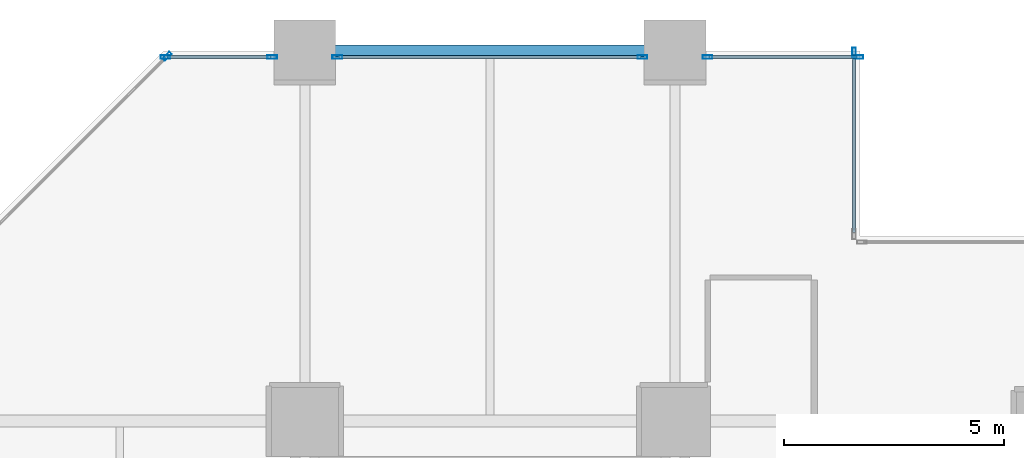
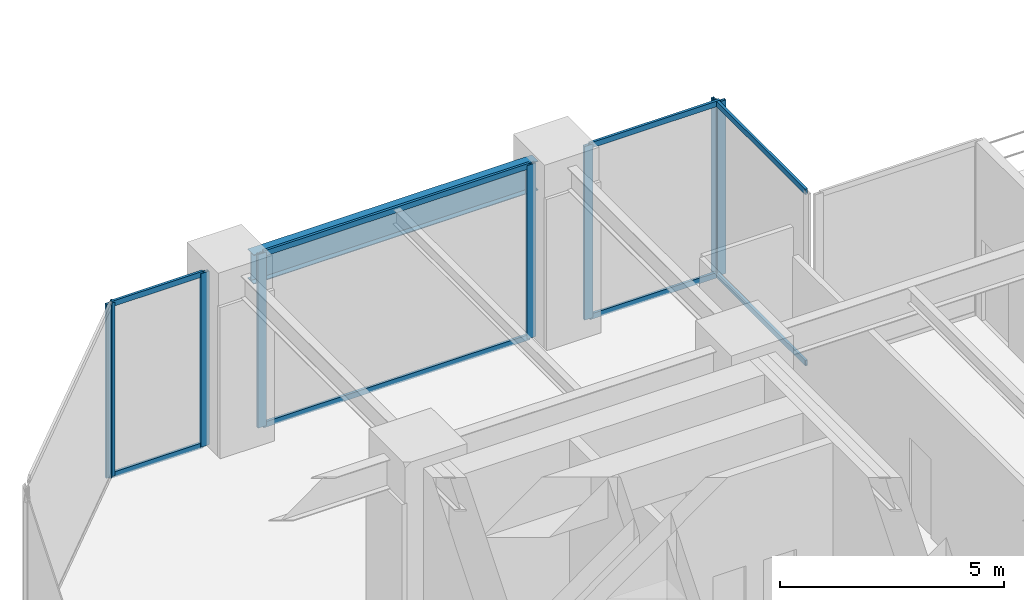
# One storey, part 11 of 21: 16 members, 1 beam, 5 elements without a shape of their own.
"""IFC4 building model written with IfcOpenShell, lengths in metres."""

import ifcopenshell
import ifcopenshell.guid

model = None  # the IFC model being written
_history = None  # IfcOwnerHistory: only IFC2X3 demands one
_inside = {}  # id of a spatial element -> (the spatial element, [elements in it])
_under = {}  # id of a project, library or spatial element -> (it, [spatial elements below it])
_declared = {}  # id of a project -> (the project, [libraries it declares])
_typed = {}  # id of a type object -> (the type object, [elements of that type])
_made_of = {}  # id of a material, layer set ... -> (it, [elements and type objects made of it])


def new_model(schema):
    """Start an empty IFC model of exactly this schema.

    Asked for "IFC4X3", IfcOpenShell would pick the latest addendum, in which some entities
    have other attributes; the version numbers below select the first issue.
    IFC2X3 requires an IfcOwnerHistory on every rooted entity: one is made here for all.
    """
    global model, _history
    if schema == "IFC4X3":
        model = ifcopenshell.file(schema_version=(4, 3, 0, 0))
    else:
        model = ifcopenshell.file(schema=schema)
    _inside.clear()
    _under.clear()
    _declared.clear()
    _typed.clear()
    _made_of.clear()
    _history = None
    if model.schema == "IFC2X3":
        org = make("IfcOrganization", Name="unknown")
        user = make(
            "IfcPersonAndOrganization",
            ThePerson=make("IfcPerson", FamilyName="unknown"),
            TheOrganization=org,
        )
        app = make(
            "IfcApplication",
            ApplicationDeveloper=org,
            Version="unknown",
            ApplicationFullName="unknown",
            ApplicationIdentifier="unknown",
        )
        _history = make(
            "IfcOwnerHistory",
            OwningUser=user,
            OwningApplication=app,
            ChangeAction="ADDED",
            CreationDate=0,
        )
    return model


def make(cls, **values):
    """One entity of the class cls with the attributes given. An attribute that is None is left unset."""
    return model.create_entity(
        cls, **{name: value for name, value in values.items() if value is not None}
    )


def rooted(cls, **values):
    """An entity with a GlobalId (a new one), such as an element, a storey or a relation."""
    return make(cls, GlobalId=ifcopenshell.guid.new(), OwnerHistory=_history, **values)


def si_unit(unit_type, name, prefix=None):
    """IfcSIUnit, for example si_unit("LENGTHUNIT", "METRE", prefix="MILLI")."""
    return make("IfcSIUnit", UnitType=unit_type, Prefix=prefix, Name=name)


def assignment(units):
    """IfcUnitAssignment: the units of a project."""
    return None if units is None else make("IfcUnitAssignment", Units=units)


def point(xyz):
    """IfcCartesianPoint."""
    return None if xyz is None else make("IfcCartesianPoint", Coordinates=xyz)


def direction(xyz):
    """IfcDirection."""
    return None if xyz is None else make("IfcDirection", DirectionRatios=xyz)


def frame(location, z_axis=None, x_axis=None):
    """IfcAxis2Placement3D, a coordinate frame: its origin and axes. An axis left out is left unset."""
    return make(
        "IfcAxis2Placement3D",
        Location=point(location),
        Axis=direction(z_axis),
        RefDirection=direction(x_axis),
    )


def frame_2d(location, x_axis=None):
    """IfcAxis2Placement2D, a coordinate frame in the plane: its origin and x axis."""
    return make(
        "IfcAxis2Placement2D", Location=point(location), RefDirection=direction(x_axis)
    )


def origin():
    """The frame at (0, 0, 0) with its axes left unset."""
    return frame((0.0, 0.0, 0.0))


def origin_2d():
    """The frame at (0, 0) in the plane with its x axis left unset."""
    return frame_2d((0.0, 0.0))


def place(relative_to, where):
    """IfcLocalPlacement: puts the frame where relative to a parent placement (None: the world)."""
    return make(
        "IfcLocalPlacement", PlacementRelTo=relative_to, RelativePlacement=where
    )


def context(
    kind, dimensions, precision=None, world=None, true_north=None, identifier=None
):
    """IfcGeometricRepresentationContext, for example the 3D "Model" context."""
    return make(
        "IfcGeometricRepresentationContext",
        ContextIdentifier=identifier,
        ContextType=kind,
        CoordinateSpaceDimension=dimensions,
        Precision=precision,
        WorldCoordinateSystem=world,
        TrueNorth=true_north,
    )


def subcontext(parent, identifier, kind, view, scale=None):
    """IfcGeometricRepresentationSubContext, for example "Body" below "Model"."""
    return make(
        "IfcGeometricRepresentationSubContext",
        ContextIdentifier=identifier,
        ContextType=kind,
        ParentContext=parent,
        TargetScale=scale,
        TargetView=view,
    )


def project(units=None, contexts=None):
    """IfcProject with its units and contexts."""
    return rooted(
        "IfcProject",
        Name="project",
        RepresentationContexts=contexts,
        UnitsInContext=assignment(units),
    )


def spatial(cls, under=None, at=None, **own):
    """A site, building, storey or space (cls), placed at a placement, below another one or the project."""
    s = rooted(cls, ObjectPlacement=at, **own)
    if under is not None:
        _under.setdefault(under.id(), (under, []))[1].append(s)
    return s


def profile(cls, at=None, kind="AREA", **sizes):
    """A parametric profile (cls). Its sizes go by their IFC names, for example OverallWidth=200.0."""
    return make(cls, ProfileType=kind, Position=at, **sizes)


def hollow_rectangle(**sizes):
    """IfcRectangleHollowProfileDef."""
    return profile("IfcRectangleHollowProfileDef", **sizes)


def i_section(**sizes):
    """IfcIShapeProfileDef."""
    return profile("IfcIShapeProfileDef", **sizes)


def extrude(swept, where, along, depth):
    """IfcExtrudedAreaSolid: the profile swept, set in the frame where, extruded along a direction by depth."""
    return make(
        "IfcExtrudedAreaSolid",
        SweptArea=swept,
        Position=where,
        ExtrudedDirection=direction(along),
        Depth=depth,
    )


def shape(context_of_items, identifier, shape_type, items):
    """IfcShapeRepresentation: the items that make up one representation, for example the "Body"."""
    return make(
        "IfcShapeRepresentation",
        ContextOfItems=context_of_items,
        RepresentationIdentifier=identifier,
        RepresentationType=shape_type,
        Items=items,
    )


def material(Name=None, Category=None):
    """IfcMaterial."""
    return make("IfcMaterial", Name=Name, Category=Category)


def layer(
    of_material, thickness, ventilated=None, Name=None, Category=None, Priority=None
):
    """IfcMaterialLayer: one layer of a wall or slab, of a material (None: an air gap)."""
    return make(
        "IfcMaterialLayer",
        Material=of_material,
        LayerThickness=thickness,
        IsVentilated=ventilated,
        Name=Name,
        Category=Category,
        Priority=Priority,
    )


def layer_set(layers, Name=None):
    """IfcMaterialLayerSet."""
    return make("IfcMaterialLayerSet", MaterialLayers=layers, LayerSetName=Name)


def material_profile(
    of_material, cross_section, Name=None, Category=None, Priority=None
):
    """IfcMaterialProfile: a cross section and its material."""
    return make(
        "IfcMaterialProfile",
        Name=Name,
        Material=of_material,
        Profile=cross_section,
        Priority=Priority,
        Category=Category,
    )


def profile_set(profiles, Name=None, composite=None):
    """IfcMaterialProfileSet."""
    return make(
        "IfcMaterialProfileSet",
        Name=Name,
        MaterialProfiles=profiles,
        CompositeProfile=composite,
    )


def made_of(thing, what):
    """Note that an element or type object is made of a material, layer set ...; save() writes the relation."""
    if what is not None:
        _made_of.setdefault(what.id(), (what, []))[1].append(thing)
    return thing


def type_object(cls, material=None, **own):
    """A type object (cls), such as IfcWallType, which elements share."""
    return made_of(rooted(cls, **own), material)


def element(
    cls,
    number,
    at=None,
    inside=None,
    cuts=None,
    type_object=None,
    material=None,
    context=None,
    identifier="Body",
    shape_type=None,
    held_by="IfcProductDefinitionShape",
    body=None,
    shapes=None,
    **own,
):
    """One element of the class cls, such as IfcWall. Its Tag is "e" and its number.

    at: its placement. inside: the storey or other place that contains it. cuts: it is an
    opening in that element (IfcRelVoidsElement). A single representation is given by context,
    identifier, shape_type and body (its items); several are given by shapes. held_by: the class
    of the entity that holds the representations. save() writes the other relations.
    """
    e = rooted(cls, Tag="e%d" % number, ObjectPlacement=at, **own)
    if body is not None:
        shapes = [shape(context, identifier, shape_type, body)]
    if shapes is not None:
        e.Representation = make(held_by, Representations=shapes)
    if inside is not None:
        _inside.setdefault(inside.id(), (inside, []))[1].append(e)
    if cuts is not None:
        rooted(
            "IfcRelVoidsElement", RelatingBuildingElement=cuts, RelatedOpeningElement=e
        )
    if type_object is not None:
        _typed.setdefault(type_object.id(), (type_object, []))[1].append(e)
    return made_of(e, material)


def aggregate(whole, parts):
    """IfcRelAggregates: a whole, such as a stair, and the parts it consists of."""
    return rooted("IfcRelAggregates", RelatingObject=whole, RelatedObjects=parts)


def save(model, path):
    """Write the relations noted so far, then the file.

    IfcRelAggregates (storeys below a building ...), IfcRelContainedInSpatialStructure (elements
    in a storey), IfcRelDefinesByType, IfcRelAssociatesMaterial and IfcRelDeclares: one each for
    every whole, place, type object, material and project.
    """
    for whole, parts in _under.values():
        aggregate(whole, parts)
    for where, things in _inside.values():
        rooted(
            "IfcRelContainedInSpatialStructure",
            RelatedElements=things,
            RelatingStructure=where,
        )
    for kind, things in _typed.values():
        rooted("IfcRelDefinesByType", RelatedObjects=things, RelatingType=kind)
    for what, things in _made_of.values():
        rooted("IfcRelAssociatesMaterial", RelatedObjects=things, RelatingMaterial=what)
    for by, libraries in _declared.values():
        rooted("IfcRelDeclares", RelatingContext=by, RelatedDefinitions=libraries)
    model.write(path)


model = new_model("IFC4")

# Units and contexts
model_context = context("Model", 3, precision=1e-05, world=origin(), true_north=direction((0.0, 1.0)))
body_context = subcontext(model_context, "Body", "Model", "MODEL_VIEW")
ifc_project = project(units=[si_unit("LENGTHUNIT", "METRE"), si_unit("AREAUNIT", "SQUARE_METRE"), si_unit("VOLUMEUNIT", "CUBIC_METRE"), si_unit("PLANEANGLEUNIT", "RADIAN"), si_unit("MASSUNIT", "GRAM", prefix="KILO")], contexts=[model_context])

# Site, building, storey
site_placement = place(None, origin())
site = spatial("IfcSite", under=ifc_project, at=site_placement, CompositionType="ELEMENT")
building_placement = place(site_placement, origin())
building = spatial("IfcBuilding", under=site, at=building_placement, Name="Nerrivon Quay Data Exchange", CompositionType="ELEMENT")
storey_placement = place(building_placement, frame((0.0, 0.0, 19.800048828125)))
storey = spatial("IfcBuildingStorey", under=building, at=storey_placement, Name="L04", CompositionType="ELEMENT", Elevation=19.800048828125)

# Beam
ifc_material_1 = material(Name="Steel Grade 350", Category="steel")
ifc_material_profile_1 = material_profile(ifc_material_1, i_section(OverallWidth=0.27490234375, OverallDepth=0.800048828125, WebThickness=0.010009765625, FlangeThickness=0.02001953125, at=origin_2d()), Name="800WB146")
ifc_profile_set_1 = profile_set([ifc_material_profile_1], Name="Steel Grade 350")
beam_type = type_object("IfcBeamType", Name="BM-G8-800WB146", PredefinedType="BEAM", material=ifc_profile_set_1)
beam_placement = place(storey_placement, frame((8.93994140625, 50.39990234375, 4.324951171875), z_axis=(1.0, 0.0, 0.0), x_axis=(0.0, 1.0, 0.0)))
element("IfcBeam", 1, at=beam_placement, inside=storey, type_object=beam_type, Name="L04 EW Girder Y=50.4 (8.4..16.8)", PredefinedType="BEAM", context=body_context, shape_type="SweptSolid", body=[
    extrude(i_section(OverallWidth=0.27490234375, OverallDepth=0.800048828125, WebThickness=0.010009765625, FlangeThickness=0.02001953125, at=origin_2d()), origin(), (0.0, 0.0, 1.0), 7.320068359375),
])

# Curtain wall, member
ifc_material_2 = material(Name="Anodised aluminium 6063-T6", Category="aluminium")
ifc_layer = layer(ifc_material_2, 0.239990234375)
ifc_layer_set = layer_set([ifc_layer], Name="Anodised aluminium 6063-T6")
curtain_wall_type = type_object("IfcCurtainWallType", Name="CW-SYS-03", PredefinedType="NOTDEFINED", material=ifc_layer_set)
curtain_wall_1_placement = place(storey_placement, origin())
curtain_wall_1 = element("IfcCurtainWall", 2, at=curtain_wall_1_placement, inside=storey, type_object=curtain_wall_type, Name="L04 Unitised Curtain Wall 19", PredefinedType="NOTDEFINED")
ifc_material_profile_2 = material_profile(ifc_material_2, hollow_rectangle(XDim=0.074951171875, YDim=0.219970703125, WallThickness=0.00390625, at=origin_2d()), Name="ALU-MULL-220x75")
ifc_profile_set_2 = profile_set([ifc_material_profile_2], Name="Anodised aluminium 6063-T6")
member_type_1 = type_object("IfcMemberType", Name="CWM-220x75", PredefinedType="MULLION", material=ifc_profile_set_2)
member_1_placement = place(storey_placement, frame((5.2724609375, 50.2744140625, 0.0), z_axis=(0.0, 0.0, 1.0), x_axis=(-0.707106781187, 0.707106781187, 0.0)))
member_1 = element("IfcMember", 3, at=member_1_placement, type_object=member_type_1, Name="CW03 mullion 2", PredefinedType="MULLION", context=body_context, shape_type="SweptSolid", body=[
    extrude(hollow_rectangle(XDim=0.074951171875, YDim=0.219970703125, WallThickness=0.00390625, at=origin_2d()), origin(), (0.0, 0.0, 1.0), 4.724853515625),
])
aggregate(curtain_wall_1, [member_1])

# Curtain wall, members
curtain_wall_2_placement = place(storey_placement, origin())
curtain_wall_2 = element("IfcCurtainWall", 4, at=curtain_wall_2_placement, inside=storey, type_object=curtain_wall_type, Name="L04 Unitised Curtain Wall 20", PredefinedType="NOTDEFINED")
member_2_placement = place(storey_placement, frame((5.237548828125, 50.260009765625, 0.0), z_axis=(0.0, 0.0, 1.0), x_axis=(0.0, 1.0, 0.0)))
member_2 = element("IfcMember", 5, at=member_2_placement, type_object=member_type_1, Name="CW03 mullion 1", PredefinedType="MULLION", context=body_context, shape_type="SweptSolid", body=[
    extrude(hollow_rectangle(XDim=0.074951171875, YDim=0.219970703125, WallThickness=0.00390625, at=origin_2d()), origin(), (0.0, 0.0, 1.0), 4.724853515625),
])
member_3_placement = place(storey_placement, frame((7.66259765625, 50.260009765625, 0.0), z_axis=(0.0, 0.0, 1.0), x_axis=(0.0, 1.0, 0.0)))
member_3 = element("IfcMember", 6, at=member_3_placement, type_object=member_type_1, Name="CW03 mullion 2", PredefinedType="MULLION", context=body_context, shape_type="SweptSolid", body=[
    extrude(hollow_rectangle(XDim=0.074951171875, YDim=0.219970703125, WallThickness=0.00390625, at=origin_2d()), origin(), (0.0, 0.0, 1.0), 4.724853515625),
])

curtain_wall_3_placement = place(storey_placement, origin())
curtain_wall_3 = element("IfcCurtainWall", 7, at=curtain_wall_3_placement, inside=storey, type_object=curtain_wall_type, Name="L04 Unitised Curtain Wall 21", PredefinedType="NOTDEFINED")
member_4_placement = place(storey_placement, frame((9.137451171875, 50.260009765625, 0.0), z_axis=(0.0, 0.0, 1.0), x_axis=(0.0, 1.0, 0.0)))
member_4 = element("IfcMember", 8, at=member_4_placement, type_object=member_type_1, Name="CW03 mullion 1", PredefinedType="MULLION", context=body_context, shape_type="SweptSolid", body=[
    extrude(hollow_rectangle(XDim=0.074951171875, YDim=0.219970703125, WallThickness=0.00390625, at=origin_2d()), origin(), (0.0, 0.0, 1.0), 4.724853515625),
])
member_5_placement = place(storey_placement, frame((16.0625, 50.260009765625, 0.0), z_axis=(0.0, 0.0, 1.0), x_axis=(0.0, 1.0, 0.0)))
member_5 = element("IfcMember", 9, at=member_5_placement, type_object=member_type_1, Name="CW03 mullion 2", PredefinedType="MULLION", context=body_context, shape_type="SweptSolid", body=[
    extrude(hollow_rectangle(XDim=0.074951171875, YDim=0.219970703125, WallThickness=0.00390625, at=origin_2d()), origin(), (0.0, 0.0, 1.0), 4.724853515625),
])

curtain_wall_4_placement = place(storey_placement, origin())
curtain_wall_4 = element("IfcCurtainWall", 10, at=curtain_wall_4_placement, inside=storey, type_object=curtain_wall_type, Name="L04 Unitised Curtain Wall 22", PredefinedType="NOTDEFINED")
member_6_placement = place(storey_placement, frame((17.53759765625, 50.260009765625, 0.0), z_axis=(0.0, 0.0, 1.0), x_axis=(0.0, 1.0, 0.0)))
member_6 = element("IfcMember", 11, at=member_6_placement, type_object=member_type_1, Name="CW03 mullion 1", PredefinedType="MULLION", context=body_context, shape_type="SweptSolid", body=[
    extrude(hollow_rectangle(XDim=0.074951171875, YDim=0.219970703125, WallThickness=0.00390625, at=origin_2d()), origin(), (0.0, 0.0, 1.0), 4.724853515625),
])
member_7_placement = place(storey_placement, frame((20.96240234375, 50.260009765625, 0.0), z_axis=(0.0, 0.0, 1.0), x_axis=(0.0, 1.0, 0.0)))
member_7 = element("IfcMember", 12, at=member_7_placement, type_object=member_type_1, Name="CW03 mullion 2", PredefinedType="MULLION", context=body_context, shape_type="SweptSolid", body=[
    extrude(hollow_rectangle(XDim=0.074951171875, YDim=0.219970703125, WallThickness=0.00390625, at=origin_2d()), origin(), (0.0, 0.0, 1.0), 4.724853515625),
])

# Curtain wall, member
curtain_wall_5_placement = place(storey_placement, origin())
curtain_wall_5 = element("IfcCurtainWall", 13, at=curtain_wall_5_placement, inside=storey, type_object=curtain_wall_type, Name="L04 Unitised Curtain Wall 23", PredefinedType="NOTDEFINED")
member_8_placement = place(storey_placement, frame((20.860107421875, 50.362548828125, 0.0), z_axis=(0.0, 0.0, 1.0), x_axis=(1.0, 0.0, 0.0)))
member_8 = element("IfcMember", 14, at=member_8_placement, type_object=member_type_1, Name="CW03 mullion 1", PredefinedType="MULLION", context=body_context, shape_type="SweptSolid", body=[
    extrude(hollow_rectangle(XDim=0.074951171875, YDim=0.219970703125, WallThickness=0.00390625, at=origin_2d()), origin(), (0.0, 0.0, 1.0), 4.724853515625),
])

# Member
ifc_material_profile_3 = material_profile(ifc_material_2, hollow_rectangle(XDim=0.06494140625, YDim=0.14990234375, WallThickness=0.00341796875, at=origin_2d()), Name="ALU-TRAN-150x65")
ifc_profile_set_3 = profile_set([ifc_material_profile_3], Name="Anodised aluminium 6063-T6")
member_type_2 = type_object("IfcMemberType", Name="CWT-150x65", PredefinedType="USERDEFINED", material=ifc_profile_set_3)
member_9_placement = place(storey_placement, frame((5.27490234375, 50.260009765625, 0.032470703125), z_axis=(1.0, 0.0, 0.0), x_axis=(0.0, 1.0, 0.0)))
member_9 = element("IfcMember", 15, at=member_9_placement, type_object=member_type_2, Name="CW03 transom 1.1", ObjectType="TRANSOM", PredefinedType="USERDEFINED", context=body_context, shape_type="SweptSolid", body=[
    extrude(hollow_rectangle(XDim=0.06494140625, YDim=0.14990234375, WallThickness=0.00341796875, at=origin_2d()), origin(), (0.0, 0.0, 1.0), 2.35009765625),
])

member_10_placement = place(storey_placement, frame((5.27490234375, 50.260009765625, 4.6923828125), z_axis=(1.0, 0.0, 0.0), x_axis=(0.0, 1.0, 0.0)))
member_10 = element("IfcMember", 16, at=member_10_placement, type_object=member_type_2, Name="CW03 transom 1.2", ObjectType="TRANSOM", PredefinedType="USERDEFINED", context=body_context, shape_type="SweptSolid", body=[
    extrude(hollow_rectangle(XDim=0.06494140625, YDim=0.14990234375, WallThickness=0.00341796875, at=origin_2d()), origin(), (0.0, 0.0, 1.0), 2.35009765625),
])

aggregate(curtain_wall_2, [member_2, member_3, member_9, member_10])

member_11_placement = place(storey_placement, frame((9.175048828125, 50.260009765625, 0.032470703125), z_axis=(1.0, 0.0, 0.0), x_axis=(0.0, 1.0, 0.0)))
member_11 = element("IfcMember", 17, at=member_11_placement, type_object=member_type_2, Name="CW03 transom 1.1", ObjectType="TRANSOM", PredefinedType="USERDEFINED", context=body_context, shape_type="SweptSolid", body=[
    extrude(hollow_rectangle(XDim=0.06494140625, YDim=0.14990234375, WallThickness=0.00341796875, at=origin_2d()), origin(), (0.0, 0.0, 1.0), 6.849853515625),
])

member_12_placement = place(storey_placement, frame((9.175048828125, 50.260009765625, 4.6923828125), z_axis=(1.0, 0.0, 0.0), x_axis=(0.0, 1.0, 0.0)))
member_12 = element("IfcMember", 18, at=member_12_placement, type_object=member_type_2, Name="CW03 transom 1.2", ObjectType="TRANSOM", PredefinedType="USERDEFINED", context=body_context, shape_type="SweptSolid", body=[
    extrude(hollow_rectangle(XDim=0.06494140625, YDim=0.14990234375, WallThickness=0.00341796875, at=origin_2d()), origin(), (0.0, 0.0, 1.0), 6.849853515625),
])

aggregate(curtain_wall_3, [member_4, member_5, member_11, member_12])

member_13_placement = place(storey_placement, frame((17.574951171875, 50.260009765625, 0.032470703125), z_axis=(1.0, 0.0, 0.0), x_axis=(0.0, 1.0, 0.0)))
member_13 = element("IfcMember", 19, at=member_13_placement, type_object=member_type_2, Name="CW03 transom 1.1", ObjectType="TRANSOM", PredefinedType="USERDEFINED", context=body_context, shape_type="SweptSolid", body=[
    extrude(hollow_rectangle(XDim=0.06494140625, YDim=0.14990234375, WallThickness=0.00341796875, at=origin_2d()), origin(), (0.0, 0.0, 1.0), 3.35009765625),
])

member_14_placement = place(storey_placement, frame((17.574951171875, 50.260009765625, 4.6923828125), z_axis=(1.0, 0.0, 0.0), x_axis=(0.0, 1.0, 0.0)))
member_14 = element("IfcMember", 20, at=member_14_placement, type_object=member_type_2, Name="CW03 transom 1.2", ObjectType="TRANSOM", PredefinedType="USERDEFINED", context=body_context, shape_type="SweptSolid", body=[
    extrude(hollow_rectangle(XDim=0.06494140625, YDim=0.14990234375, WallThickness=0.00341796875, at=origin_2d()), origin(), (0.0, 0.0, 1.0), 3.35009765625),
])

aggregate(curtain_wall_4, [member_6, member_7, member_13, member_14])

member_15_placement = place(storey_placement, frame((20.860107421875, 50.324951171875, 0.032470703125), z_axis=(0.0, -1.0, 0.0), x_axis=(1.0, 0.0, 0.0)))
member_15 = element("IfcMember", 21, at=member_15_placement, type_object=member_type_2, Name="CW03 transom 1.1", ObjectType="TRANSOM", PredefinedType="USERDEFINED", context=body_context, shape_type="SweptSolid", body=[
    extrude(hollow_rectangle(XDim=0.06494140625, YDim=0.14990234375, WallThickness=0.00341796875, at=origin_2d()), origin(), (0.0, 0.0, 1.0), 4.050048828125),
])

member_16_placement = place(storey_placement, frame((20.860107421875, 50.324951171875, 4.6923828125), z_axis=(0.0, -1.0, 0.0), x_axis=(1.0, 0.0, 0.0)))
member_16 = element("IfcMember", 22, at=member_16_placement, type_object=member_type_2, Name="CW03 transom 1.2", ObjectType="TRANSOM", PredefinedType="USERDEFINED", context=body_context, shape_type="SweptSolid", body=[
    extrude(hollow_rectangle(XDim=0.06494140625, YDim=0.14990234375, WallThickness=0.00341796875, at=origin_2d()), origin(), (0.0, 0.0, 1.0), 4.050048828125),
])

aggregate(curtain_wall_5, [member_8, member_15, member_16])

save(model, "model.ifc")
